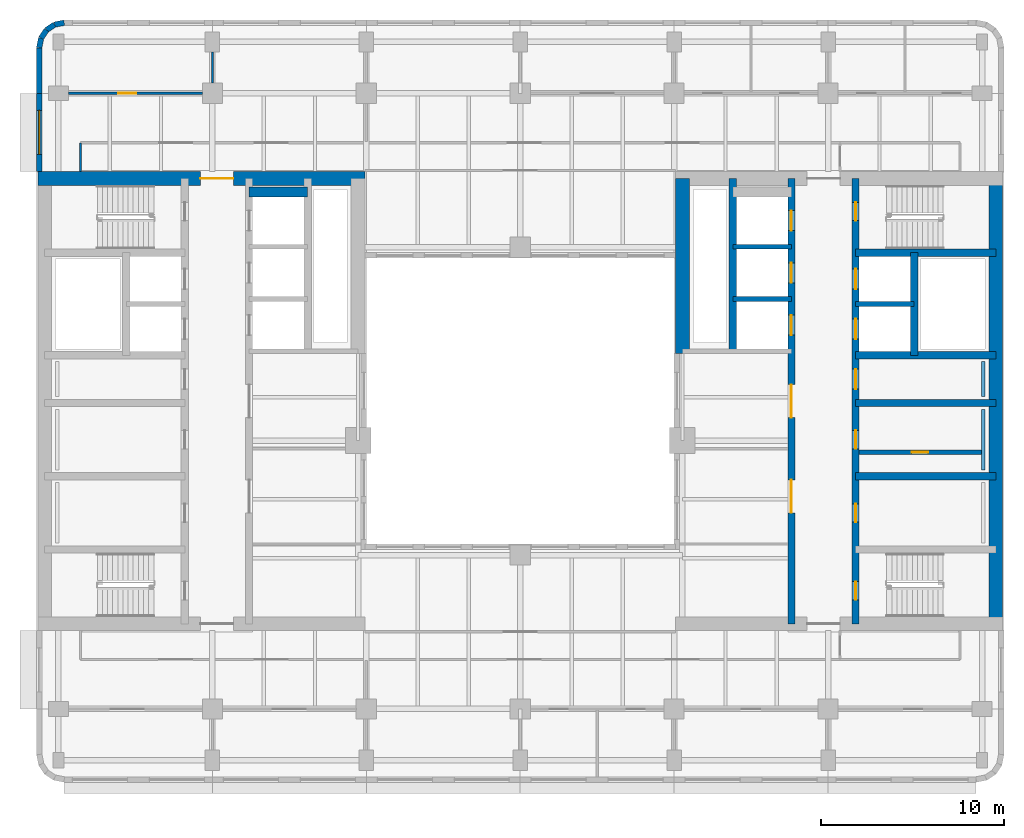
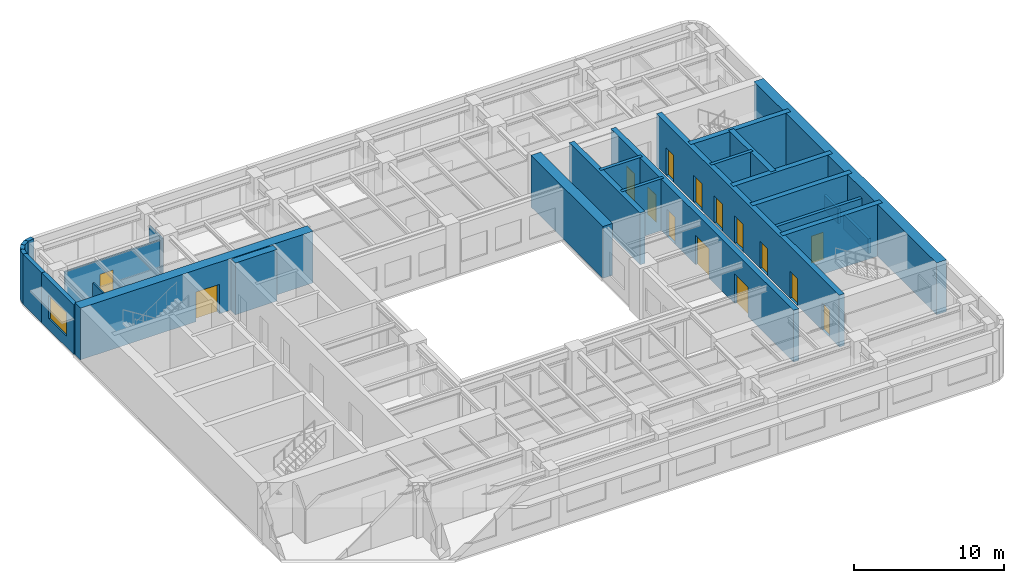
# One storey, part 6 of 11: 27 walls, 15 doors, 1 window, 16 openings.
"""IFC4 building model written with IfcOpenShell, lengths in metres."""

from ifc_helpers import new_model, si_unit, direction, frame, frame_2d, origin, place, context, subcontext, project, spatial, rectangle, extrude, material, layer, layer_set, type_object, element, fill, save


model = new_model("IFC4")

# Units and contexts
model_context = context("Model", 3, precision=1e-05, world=origin(), true_north=direction((0.0, 1.0)))
body_context = subcontext(model_context, "Body", "Model", "MODEL_VIEW")
ifc_project = project(units=[si_unit("LENGTHUNIT", "METRE"), si_unit("AREAUNIT", "SQUARE_METRE"), si_unit("VOLUMEUNIT", "CUBIC_METRE"), si_unit("PLANEANGLEUNIT", "RADIAN"), si_unit("MASSUNIT", "GRAM", prefix="KILO")], contexts=[model_context])

# Site, building, storey
site_placement = place(None, origin())
site = spatial("IfcSite", under=ifc_project, at=site_placement, CompositionType="ELEMENT")
building_placement = place(site_placement, origin())
building = spatial("IfcBuilding", under=site, at=building_placement, Name="Claustro Exchange Tower", CompositionType="ELEMENT")
storey_placement = place(building_placement, frame((0.0, 0.0, 236.39990234375)))
storey = spatial("IfcBuildingStorey", under=building, at=storey_placement, Name="L54", CompositionType="ELEMENT", Elevation=236.39990234375)

# Wall, opening, door
ifc_material_1 = material(Name="Laminated glass in aluminium frame", Category="aluminium")
ifc_layer_1 = layer(ifc_material_1, 0.1201171875)
ifc_layer_set_1 = layer_set([ifc_layer_1], Name="Laminated glass in aluminium frame")
wall_type_1 = type_object("IfcWallType", Name="P2 120 glazed partition", PredefinedType="PARTITIONING", material=ifc_layer_set_1)
wall_1_placement = place(storey_placement, frame((0.549072265625, 42.0, 0.0), z_axis=(0.0, 0.0, 1.0), x_axis=(1.0, 0.0, 0.0)))
wall_1 = element("IfcWall", 1, at=wall_1_placement, inside=storey, type_object=wall_type_1, Name="Partition P2 L54", PredefinedType="PARTITIONING", context=body_context, shape_type="SweptSolid", body=[
    extrude(rectangle(XDim=7.302001953125, YDim=0.1201171875, at=frame_2d((3.65087890625, 0.0))), origin(), (0.0, 0.0, 1.0), 3.550048828125),
])
opening_1_placement = place(wall_1_placement, frame((2.700927734375, 0.0, 0.0)))
opening_1 = element("IfcOpeningElement", 2, at=opening_1_placement, cuts=wall_1, Name="Opening D7", PredefinedType="OPENING", context=body_context, shape_type="SweptSolid", body=[
    extrude(rectangle(XDim=1.0, YDim=2.39990234375, at=frame_2d((0.5, 1.199951171875))), frame((0.0, 0.070068359375, 0.0), z_axis=(0.0, -1.0, 0.0), x_axis=(1.0, 0.0, 0.0)), (0.0, 0.0, 1.0), 0.14013671875),
])
ifc_material_2 = material(Name="Glass door in aluminium frame", Category="aluminium")
door_type_1 = type_object("IfcDoorType", Name="D7 1000 x 2400 glazed door", OperationType="SINGLE_SWING_LEFT", PredefinedType="DOOR", material=ifc_material_2)
door_1_placement = place(opening_1_placement, origin())
door_1 = element("IfcDoor", 3, at=door_1_placement, inside=storey, type_object=door_type_1, Name="Door D7 L54", OperationType="SINGLE_SWING_RIGHT", OverallHeight=2.39990234375, OverallWidth=1.0, PredefinedType="DOOR", context=body_context, shape_type="SweptSolid", body=[
    extrude(rectangle(XDim=1.0, YDim=2.39990234375, at=frame_2d((0.5, 1.199951171875))), frame((0.0, 0.02490234375, 0.0), z_axis=(0.0, -1.0, 0.0), x_axis=(1.0, 0.0, 0.0)), (0.0, 0.0, 1.0), 0.050048828125),
])
fill(opening_1, door_1)

# Walls
wall_2_placement = place(storey_placement, frame((8.39990234375, 42.549072265625, 0.0), z_axis=(0.0, 0.0, 1.0), x_axis=(0.0, 1.0, 0.0)))
element("IfcWall", 4, at=wall_2_placement, inside=storey, type_object=wall_type_1, Name="Partition P2 L54", PredefinedType="PARTITIONING", context=body_context, shape_type="SweptSolid", body=[
    extrude(rectangle(XDim=1.701904296875, YDim=0.1201171875, at=frame_2d((0.85107421875, 0.0))), origin(), (0.0, 0.0, 1.0), 3.150146484375),
])
wall_3_placement = place(storey_placement, frame((1.199951171875, 37.72412109375, 0.0), z_axis=(0.0, 0.0, 1.0), x_axis=(0.0, 1.0, 0.0)))
element("IfcWall", 5, at=wall_3_placement, inside=storey, type_object=wall_type_1, Name="Partition P2 L54", PredefinedType="PARTITIONING", context=body_context, shape_type="SweptSolid", body=[
    extrude(rectangle(XDim=1.575927734375, YDim=0.1201171875, at=frame_2d((0.7880859375, 0.0))), origin(), (0.0, 0.0, 1.0), 4.050048828125),
])

# Wall, opening, door
ifc_material_3 = material(Name="Concrete blockwork, rendered", Category="masonry")
ifc_layer_2 = layer(ifc_material_3, 0.25)
ifc_layer_set_2 = layer_set([ifc_layer_2], Name="Concrete blockwork, rendered")
wall_type_2 = type_object("IfcWallType", Name="P4 250 blockwork wall", PredefinedType="PARTITIONING", material=ifc_layer_set_2)
wall_4_placement = place(storey_placement, frame((43.699951171875, 22.39990234375, 0.0), z_axis=(0.0, 0.0, 1.0), x_axis=(1.0, 0.0, 0.0)))
wall_4 = element("IfcWall", 6, at=wall_4_placement, inside=storey, type_object=wall_type_2, Name="Partition P4 L54", PredefinedType="PARTITIONING", context=body_context, shape_type="SweptSolid", body=[
    extrude(rectangle(XDim=6.675048828125, YDim=0.25, at=frame_2d((3.33740234375, 0.0))), origin(), (0.0, 0.0, 1.0), 4.0),
])
opening_2_placement = place(wall_4_placement, frame((2.862548828125, 0.0, 0.0)))
opening_2 = element("IfcOpeningElement", 7, at=opening_2_placement, cuts=wall_4, Name="Opening D5", PredefinedType="OPENING", context=body_context, shape_type="SweptSolid", body=[
    extrude(rectangle(XDim=0.89990234375, YDim=2.199951171875, at=frame_2d((0.449951171875, 1.10009765625))), frame((0.0, 0.135009765625, 0.0), z_axis=(0.0, -1.0, 0.0), x_axis=(1.0, 0.0, 0.0)), (0.0, 0.0, 1.0), 0.27001953125),
])
ifc_material_4 = material(Name="Steel door, painted", Category="steel")
door_type_2 = type_object("IfcDoorType", Name="D5 900 x 2200 store door", OperationType="SINGLE_SWING_LEFT", PredefinedType="DOOR", material=ifc_material_4)
door_2_placement = place(opening_2_placement, frame((0.89990234375, 0.0, 0.0), z_axis=(0.0, 0.0, 1.0), x_axis=(-1.0, 0.0, 0.0)))
door_2 = element("IfcDoor", 8, at=door_2_placement, inside=storey, type_object=door_type_2, Name="Store door D5 L54", OperationType="SINGLE_SWING_RIGHT", OverallHeight=2.199951171875, OverallWidth=0.89990234375, PredefinedType="DOOR", context=body_context, shape_type="SweptSolid", body=[
    extrude(rectangle(XDim=0.89990234375, YDim=2.199951171875, at=frame_2d((0.449951171875, 1.10009765625))), frame((0.0, 0.02490234375, 0.0), z_axis=(0.0, -1.0, 0.0), x_axis=(1.0, 0.0, 0.0)), (0.0, 0.0, 1.0), 0.050048828125),
])
fill(opening_2, door_2)

# Wall, opening, window
ifc_material_5 = material(Name="Concrete HA-40 (C40/50), precast, white cement, acid-etched", Category="concrete")
ifc_layer_3 = layer(ifc_material_5, 0.300048828125)
ifc_layer_set_3 = layer_set([ifc_layer_3], Name="Concrete HA-40 (C40/50), precast, white cement, acid-etched")
wall_type_3 = type_object("IfcWallType", Name="PC1 300 precast concrete pier panel", PredefinedType="SOLIDWALL", material=ifc_layer_set_3)
wall_5_placement = place(storey_placement, frame((-1.050048828125, 37.72509765625, 0.0), z_axis=(0.0, 0.0, 1.0), x_axis=(0.0, 1.0, 0.0)))
wall_5 = element("IfcWall", 9, at=wall_5_placement, inside=storey, type_object=wall_type_3, Name="Precast pier panel PC1 L54", PredefinedType="SOLIDWALL", context=body_context, shape_type="SweptSolid", body=[
    extrude(rectangle(XDim=4.27490234375, YDim=0.300048828125, at=frame_2d((2.137451171875, 0.0))), origin(), (0.0, 0.0, 1.0), 4.050048828125),
])
opening_3_placement = place(wall_5_placement, frame((0.9375, 0.0, 0.89990234375)))
opening_3 = element("IfcOpeningElement", 10, at=opening_3_placement, cuts=wall_5, Name="Opening W2", PredefinedType="OPENING", context=body_context, shape_type="SweptSolid", body=[
    extrude(rectangle(XDim=2.39990234375, YDim=1.89990234375, at=frame_2d((1.199951171875, 0.949951171875))), frame((0.0, 0.159912109375, 0.0), z_axis=(0.0, -1.0, 0.0), x_axis=(1.0, 0.0, 0.0)), (0.0, 0.0, 1.0), 0.320068359375),
])
ifc_material_6 = material(Name="Aluminium frame, clear double glazing", Category="aluminium")
window_type = type_object("IfcWindowType", Name="W2 2400 x 1900 window", PartitioningType="SINGLE_PANEL", PredefinedType="WINDOW", material=ifc_material_6)
window_placement = place(opening_3_placement, origin())
window = element("IfcWindow", 11, at=window_placement, inside=storey, type_object=window_type, Name="Window W2 L54", OverallHeight=1.89990234375, OverallWidth=2.39990234375, PartitioningType="SINGLE_PANEL", PredefinedType="WINDOW", context=body_context, shape_type="SweptSolid", body=[
    extrude(rectangle(XDim=2.39990234375, YDim=1.89990234375, at=frame_2d((1.199951171875, 0.949951171875))), frame((0.0, 0.030029296875, 0.0), z_axis=(0.0, -1.0, 0.0), x_axis=(1.0, 0.0, 0.0)), (0.0, 0.0, 1.0), 0.06005859375),
])
fill(opening_3, window)

# Walls
wall_6_placement = place(storey_placement, frame((-1.050048828125, 42.0, 0.0), z_axis=(0.0, 0.0, 1.0), x_axis=(0.0, 1.0, 0.0)))
element("IfcWall", 12, at=wall_6_placement, inside=storey, type_object=wall_type_3, Name="Precast pier panel PC1 L54", PredefinedType="SOLIDWALL", context=body_context, shape_type="SweptSolid", body=[
    extrude(rectangle(XDim=2.485107421875, YDim=0.300048828125, at=frame_2d((1.24267578125, 0.0))), origin(), (0.0, 0.0, 1.0), 4.050048828125),
])
wall_7_placement = place(storey_placement, frame((-1.050048828125, 44.485107421875, 0.0), z_axis=(0.0, 0.0, 1.0), x_axis=(0.195073962632, 0.980788534345, 0.0)))
element("IfcWall", 13, at=wall_7_placement, inside=storey, type_object=wall_type_3, Name="Precast pier panel PC1 L54", PredefinedType="SOLIDWALL", context=body_context, shape_type="SweptSolid", body=[
    extrude(rectangle(XDim=0.540771484375, YDim=0.300048828125, at=frame_2d((0.2705078125, 0.0))), origin(), (0.0, 0.0, 1.0), 4.050048828125),
])
wall_8_placement = place(storey_placement, frame((-0.944580078125, 45.015380859375, 0.0), z_axis=(0.0, 0.0, 1.0), x_axis=(0.55534295404, 0.831621430339, 0.0)))
element("IfcWall", 14, at=wall_8_placement, inside=storey, type_object=wall_type_3, Name="Precast pier panel PC1 L54", PredefinedType="SOLIDWALL", context=body_context, shape_type="SweptSolid", body=[
    extrude(rectangle(XDim=0.52587890625, YDim=0.300048828125, at=frame_2d((0.262939453125, 0.0))), origin(), (0.0, 0.0, 1.0), 4.050048828125),
])
wall_9_placement = place(storey_placement, frame((-0.652587890625, 45.45263671875, 0.0), z_axis=(0.0, 0.0, 1.0), x_axis=(0.831692711774, 0.555236195849, 0.0)))
element("IfcWall", 15, at=wall_9_placement, inside=storey, type_object=wall_type_3, Name="Precast pier panel PC1 L54", PredefinedType="SOLIDWALL", context=body_context, shape_type="SweptSolid", body=[
    extrude(rectangle(XDim=0.525390625, YDim=0.300048828125, at=frame_2d((0.2626953125, 0.0))), origin(), (0.0, 0.0, 1.0), 4.050048828125),
])
wall_10_placement = place(storey_placement, frame((-0.215576171875, 45.744384765625, 0.0), z_axis=(0.0, 0.0, 1.0), x_axis=(0.980702050465, 0.1955082817, 0.0)))
element("IfcWall", 16, at=wall_10_placement, inside=storey, type_object=wall_type_3, Name="Precast pier panel PC1 L54", PredefinedType="SOLIDWALL", context=body_context, shape_type="SweptSolid", body=[
    extrude(rectangle(XDim=0.540771484375, YDim=0.300048828125, at=frame_2d((0.2705078125, 0.0))), origin(), (0.0, 0.0, 1.0), 4.050048828125),
])
ifc_material_7 = material(Name="Gypsum board on steel studs, tiled", Category="steel")
ifc_layer_4 = layer(ifc_material_7, 0.199951171875)
ifc_layer_set_4 = layer_set([ifc_layer_4], Name="Gypsum board on steel studs, tiled")
wall_type_4 = type_object("IfcWallType", Name="PW1 200 WC duct wall", PredefinedType="PLUMBINGWALL", material=ifc_layer_set_4)
wall_11_placement = place(storey_placement, frame((50.47509765625, 21.449951171875, 0.0), z_axis=(0.0, 0.0, 1.0), x_axis=(0.0, 1.0, 0.0)))
element("IfcWall", 17, at=wall_11_placement, inside=storey, type_object=wall_type_4, Name="WC duct wall PW1 L54", PredefinedType="PLUMBINGWALL", context=body_context, shape_type="SweptSolid", body=[
    extrude(rectangle(XDim=3.300048828125, YDim=0.199951171875, at=frame_2d((1.64990234375, 0.0))), origin(), (0.0, 0.0, 1.0), 1.2001953125),
])
wall_12_placement = place(storey_placement, frame((50.47509765625, 25.449951171875, 0.0), z_axis=(0.0, 0.0, 1.0), x_axis=(0.0, 1.0, 0.0)))
element("IfcWall", 18, at=wall_12_placement, inside=storey, type_object=wall_type_4, Name="WC duct wall PW1 L54", PredefinedType="PLUMBINGWALL", context=body_context, shape_type="SweptSolid", body=[
    extrude(rectangle(XDim=1.900146484375, YDim=0.199951171875, at=frame_2d((0.9501953125, 0.0))), origin(), (0.0, 0.0, 1.0), 1.2001953125),
])

# Wall, opening, door
ifc_material_8 = material(Name="Concrete HA-70 (C70/85)", Category="concrete")
ifc_layer_5 = layer(ifc_material_8, 0.75)
ifc_layer_set_5 = layer_set([ifc_layer_5], Name="Concrete HA-70 (C70/85)")
wall_type_5 = type_object("IfcWallType", Name="SW2 750 core shear wall", PredefinedType="SHEAR", material=ifc_layer_set_5)
wall_13_placement = place(storey_placement, frame((-1.125, 37.35009765625, 0.0), z_axis=(0.0, 0.0, 1.0), x_axis=(1.0, 0.0, 0.0)))
wall_13 = element("IfcWall", 19, at=wall_13_placement, inside=storey, type_object=wall_type_5, Name="Core wall SW2 W core N face L54", PredefinedType="SHEAR", context=body_context, shape_type="SweptSolid", body=[
    extrude(rectangle(XDim=17.85009765625, YDim=0.75, at=frame_2d((8.925048828125, 0.0))), origin(), (0.0, 0.0, 1.0), 4.2001953125),
])
opening_4_placement = place(wall_13_placement, frame((8.875, 0.0, 0.0)))
opening_4 = element("IfcOpeningElement", 20, at=opening_4_placement, cuts=wall_13, Name="Opening D3", PredefinedType="OPENING", context=body_context, shape_type="SweptSolid", body=[
    extrude(rectangle(XDim=1.800048828125, YDim=2.39990234375, at=frame_2d((0.89990234375, 1.199951171875))), frame((0.0, 0.385009765625, 0.0), z_axis=(0.0, -1.0, 0.0), x_axis=(1.0, 0.0, 0.0)), (0.0, 0.0, 1.0), 0.77001953125),
])
ifc_material_9 = material(Name="Steel fire door, painted", Category="steel")
door_type_3 = type_object("IfcDoorType", Name="D3 1800 x 2400 fire-rated lobby double door", OperationType="DOUBLE_DOOR_SINGLE_SWING", PredefinedType="DOOR", material=ifc_material_9)
door_3_placement = place(opening_4_placement, frame((1.800048828125, 0.0, 0.0), z_axis=(0.0, 0.0, 1.0), x_axis=(-1.0, 0.0, 0.0)))
door_3 = element("IfcDoor", 21, at=door_3_placement, inside=storey, type_object=door_type_3, Name="Lift lobby door D3 L54", OperationType="DOUBLE_DOOR_SINGLE_SWING", OverallHeight=2.39990234375, OverallWidth=1.800048828125, PredefinedType="DOOR", context=body_context, shape_type="SweptSolid", body=[
    extrude(rectangle(XDim=1.800048828125, YDim=2.39990234375, at=frame_2d((0.89990234375, 1.199951171875))), frame((0.0, 0.02490234375, 0.0), z_axis=(0.0, -1.0, 0.0), x_axis=(1.0, 0.0, 0.0)), (0.0, 0.0, 1.0), 0.050048828125),
])
fill(opening_4, door_3)

# Walls
ifc_material_10 = material(Name="Concrete HA-70 (C70/85)", Category="concrete")
ifc_layer_6 = layer(ifc_material_10, 0.75)
ifc_layer_set_6 = layer_set([ifc_layer_6], Name="Concrete HA-70 (C70/85)")
wall_type_6 = type_object("IfcWallType", Name="SW2X 750 exposed core shear wall, board-marked face", PredefinedType="SHEAR", material=ifc_layer_set_6)
wall_14_placement = place(storey_placement, frame((34.050048828125, 27.800048828125, 0.0), z_axis=(0.0, 0.0, 1.0), x_axis=(0.0, 1.0, 0.0)))
element("IfcWall", 22, at=wall_14_placement, inside=storey, type_object=wall_type_6, Name="Core wall SW2X E core W face L54", PredefinedType="SHEAR", context=body_context, shape_type="SweptSolid", body=[
    extrude(rectangle(XDim=9.550048828125, YDim=0.75, at=frame_2d((4.77490234375, 0.0))), origin(), (0.0, 0.0, 1.0), 4.2001953125),
])
wall_15_placement = place(storey_placement, frame((51.14990234375, 13.050048828125, 0.0), z_axis=(0.0, 0.0, 1.0), x_axis=(0.0, 1.0, 0.0)))
element("IfcWall", 23, at=wall_15_placement, inside=storey, type_object=wall_type_6, Name="Core wall SW2X E core E face L54", PredefinedType="SHEAR", context=body_context, shape_type="SweptSolid", body=[
    extrude(rectangle(XDim=24.300048828125, YDim=0.75, at=frame_2d((12.14990234375, 0.0))), origin(), (0.0, 0.0, 1.0), 4.2001953125),
])

# Wall, openings, doors
ifc_material_11 = material(Name="Concrete HA-50 (C50/60)", Category="concrete")
ifc_layer_7 = layer(ifc_material_11, 0.39990234375)
ifc_layer_set_7 = layer_set([ifc_layer_7], Name="Concrete HA-50 (C50/60)")
wall_type_7 = type_object("IfcWallType", Name="SW4 400 internal core wall", PredefinedType="SHEAR", material=ifc_layer_set_7)
wall_16_placement = place(storey_placement, frame((43.5, 13.050048828125, 0.0), z_axis=(0.0, 0.0, 1.0), x_axis=(0.0, 1.0, 0.0)))
wall_16 = element("IfcWall", 24, at=wall_16_placement, inside=storey, type_object=wall_type_7, Name="Internal core wall SW4 E core L54", PredefinedType="SHEAR", context=body_context, shape_type="SweptSolid", body=[
    extrude(rectangle(XDim=24.300048828125, YDim=0.39990234375, at=frame_2d((12.14990234375, 0.0))), origin(), (0.0, 0.0, 1.0), 4.2001953125),
])
opening_5_placement = place(wall_16_placement, frame((1.300048828125, 0.0, 0.0)))
opening_5 = element("IfcOpeningElement", 25, at=opening_5_placement, cuts=wall_16, Name="Opening D4", PredefinedType="OPENING", context=body_context, shape_type="SweptSolid", body=[
    extrude(rectangle(XDim=1.0, YDim=2.199951171875, at=frame_2d((0.5, 1.10009765625))), frame((0.0, 0.2099609375, 0.0), z_axis=(0.0, -1.0, 0.0), x_axis=(1.0, 0.0, 0.0)), (0.0, 0.0, 1.0), 0.419921875),
])
opening_6_placement = place(wall_16_placement, frame((22.0, 0.0, 0.0)))
opening_6 = element("IfcOpeningElement", 26, at=opening_6_placement, cuts=wall_16, Name="Opening D4", PredefinedType="OPENING", context=body_context, shape_type="SweptSolid", body=[
    extrude(rectangle(XDim=1.0, YDim=2.199951171875, at=frame_2d((0.5, 1.10009765625))), frame((0.0, 0.2099609375, 0.0), z_axis=(0.0, -1.0, 0.0), x_axis=(1.0, 0.0, 0.0)), (0.0, 0.0, 1.0), 0.419921875),
])
opening_7_placement = place(wall_16_placement, frame((5.550048828125, 0.0, 0.0)))
opening_7 = element("IfcOpeningElement", 27, at=opening_7_placement, cuts=wall_16, Name="Opening D1", PredefinedType="OPENING", context=body_context, shape_type="SweptSolid", body=[
    extrude(rectangle(XDim=1.0, YDim=2.199951171875, at=frame_2d((0.5, 1.10009765625))), frame((0.0, 0.2099609375, 0.0), z_axis=(0.0, -1.0, 0.0), x_axis=(1.0, 0.0, 0.0)), (0.0, 0.0, 1.0), 0.419921875),
])
opening_8_placement = place(wall_16_placement, frame((9.550048828125, 0.0, 0.0)))
opening_8 = element("IfcOpeningElement", 28, at=opening_8_placement, cuts=wall_16, Name="Opening D1", PredefinedType="OPENING", context=body_context, shape_type="SweptSolid", body=[
    extrude(rectangle(XDim=1.0, YDim=2.199951171875, at=frame_2d((0.5, 1.10009765625))), frame((0.0, 0.2099609375, 0.0), z_axis=(0.0, -1.0, 0.0), x_axis=(1.0, 0.0, 0.0)), (0.0, 0.0, 1.0), 0.419921875),
])
opening_9_placement = place(wall_16_placement, frame((12.800048828125, 0.0, 0.0)))
opening_9 = element("IfcOpeningElement", 29, at=opening_9_placement, cuts=wall_16, Name="Opening D10", PredefinedType="OPENING", context=body_context, shape_type="SweptSolid", body=[
    extrude(rectangle(XDim=1.10009765625, YDim=2.199951171875, at=frame_2d((0.550048828125, 1.10009765625))), frame((0.0, 0.2099609375, 0.0), z_axis=(0.0, -1.0, 0.0), x_axis=(1.0, 0.0, 0.0)), (0.0, 0.0, 1.0), 0.419921875),
])
opening_10_placement = place(wall_16_placement, frame((15.53759765625, 0.0, 0.0)))
opening_10 = element("IfcOpeningElement", 30, at=opening_10_placement, cuts=wall_16, Name="Opening LD", PredefinedType="OPENING", context=body_context, shape_type="SweptSolid", body=[
    extrude(rectangle(XDim=1.10009765625, YDim=2.199951171875, at=frame_2d((0.550048828125, 1.10009765625))), frame((0.0, 0.2099609375, 0.0), z_axis=(0.0, -1.0, 0.0), x_axis=(1.0, 0.0, 0.0)), (0.0, 0.0, 1.0), 0.419921875),
])
opening_11_placement = place(wall_16_placement, frame((18.262451171875, 0.0, 0.0)))
opening_11 = element("IfcOpeningElement", 31, at=opening_11_placement, cuts=wall_16, Name="Opening LD", PredefinedType="OPENING", context=body_context, shape_type="SweptSolid", body=[
    extrude(rectangle(XDim=1.10009765625, YDim=2.199951171875, at=frame_2d((0.550048828125, 1.10009765625))), frame((0.0, 0.2099609375, 0.0), z_axis=(0.0, -1.0, 0.0), x_axis=(1.0, 0.0, 0.0)), (0.0, 0.0, 1.0), 0.419921875),
])
ifc_material_12 = material(Name="Timber door, oak veneer", Category="wood")
door_type_4 = type_object("IfcDoorType", Name="D1 1000 x 2200 single door", OperationType="SINGLE_SWING_LEFT", PredefinedType="DOOR", material=ifc_material_12)
door_4_placement = place(opening_7_placement, frame((1.0, 0.0, 0.0), z_axis=(0.0, 0.0, 1.0), x_axis=(-1.0, 0.0, 0.0)))
door_4 = element("IfcDoor", 32, at=door_4_placement, inside=storey, type_object=door_type_4, Name="Door D1 L54", OperationType="SINGLE_SWING_LEFT", OverallHeight=2.199951171875, OverallWidth=1.0, PredefinedType="DOOR", context=body_context, shape_type="SweptSolid", body=[
    extrude(rectangle(XDim=1.0, YDim=2.199951171875, at=frame_2d((0.5, 1.10009765625))), frame((0.0, 0.02490234375, 0.0), z_axis=(0.0, -1.0, 0.0), x_axis=(1.0, 0.0, 0.0)), (0.0, 0.0, 1.0), 0.050048828125),
])
fill(opening_7, door_4)
door_5_placement = place(opening_8_placement, frame((1.0, 0.0, 0.0), z_axis=(0.0, 0.0, 1.0), x_axis=(-1.0, 0.0, 0.0)))
door_5 = element("IfcDoor", 33, at=door_5_placement, inside=storey, type_object=door_type_4, Name="Door D1 L54", OperationType="SINGLE_SWING_RIGHT", OverallHeight=2.199951171875, OverallWidth=1.0, PredefinedType="DOOR", context=body_context, shape_type="SweptSolid", body=[
    extrude(rectangle(XDim=1.0, YDim=2.199951171875, at=frame_2d((0.5, 1.10009765625))), frame((0.0, 0.02490234375, 0.0), z_axis=(0.0, -1.0, 0.0), x_axis=(1.0, 0.0, 0.0)), (0.0, 0.0, 1.0), 0.050048828125),
])
fill(opening_8, door_5)
ifc_material_13 = material(Name="Timber door, oak veneer", Category="wood")
door_type_5 = type_object("IfcDoorType", Name="D10 1100 x 2200 accessible WC door", OperationType="SINGLE_SWING_LEFT", PredefinedType="DOOR", material=ifc_material_13)
door_6_placement = place(opening_9_placement, origin())
door_6 = element("IfcDoor", 34, at=door_6_placement, inside=storey, type_object=door_type_5, Name="Accessible WC door D10 L54", OperationType="SINGLE_SWING_RIGHT", OverallHeight=2.199951171875, OverallWidth=1.10009765625, PredefinedType="DOOR", context=body_context, shape_type="SweptSolid", body=[
    extrude(rectangle(XDim=1.10009765625, YDim=2.199951171875, at=frame_2d((0.550048828125, 1.10009765625))), frame((0.0, 0.02490234375, 0.0), z_axis=(0.0, -1.0, 0.0), x_axis=(1.0, 0.0, 0.0)), (0.0, 0.0, 1.0), 0.050048828125),
])
fill(opening_9, door_6)
ifc_material_14 = material(Name="Steel fire door, painted", Category="steel")
door_type_6 = type_object("IfcDoorType", Name="D4 1000 x 2200 fire-rated stair door", OperationType="SINGLE_SWING_LEFT", PredefinedType="DOOR", material=ifc_material_14)
door_7_placement = place(opening_5_placement, frame((1.0, 0.0, 0.0), z_axis=(0.0, 0.0, 1.0), x_axis=(-1.0, 0.0, 0.0)))
door_7 = element("IfcDoor", 35, at=door_7_placement, inside=storey, type_object=door_type_6, Name="Stair door D4 L54", OperationType="SINGLE_SWING_RIGHT", OverallHeight=2.199951171875, OverallWidth=1.0, PredefinedType="DOOR", context=body_context, shape_type="SweptSolid", body=[
    extrude(rectangle(XDim=1.0, YDim=2.199951171875, at=frame_2d((0.5, 1.10009765625))), frame((0.0, 0.02490234375, 0.0), z_axis=(0.0, -1.0, 0.0), x_axis=(1.0, 0.0, 0.0)), (0.0, 0.0, 1.0), 0.050048828125),
])
fill(opening_5, door_7)
door_8_placement = place(opening_6_placement, frame((1.0, 0.0, 0.0), z_axis=(0.0, 0.0, 1.0), x_axis=(-1.0, 0.0, 0.0)))
door_8 = element("IfcDoor", 36, at=door_8_placement, inside=storey, type_object=door_type_6, Name="Stair door D4 L54", OperationType="SINGLE_SWING_LEFT", OverallHeight=2.199951171875, OverallWidth=1.0, PredefinedType="DOOR", context=body_context, shape_type="SweptSolid", body=[
    extrude(rectangle(XDim=1.0, YDim=2.199951171875, at=frame_2d((0.5, 1.10009765625))), frame((0.0, 0.02490234375, 0.0), z_axis=(0.0, -1.0, 0.0), x_axis=(1.0, 0.0, 0.0)), (0.0, 0.0, 1.0), 0.050048828125),
])
fill(opening_6, door_8)
ifc_material_15 = material(Name="Stainless steel sliding door", Category="steel")
door_type_7 = type_object("IfcDoorType", Name="LD 1100 x 2200 lift landing door", OperationType="DOUBLE_DOOR_SLIDING", PredefinedType="DOOR", material=ifc_material_15)
door_9_placement = place(opening_10_placement, origin())
door_9 = element("IfcDoor", 37, at=door_9_placement, inside=storey, type_object=door_type_7, Name="Lift landing door LEE1 LD L54", OperationType="DOUBLE_DOOR_SLIDING", OverallHeight=2.199951171875, OverallWidth=1.10009765625, PredefinedType="DOOR", context=body_context, shape_type="SweptSolid", body=[
    extrude(rectangle(XDim=1.10009765625, YDim=2.199951171875, at=frame_2d((0.550048828125, 1.10009765625))), frame((0.0, 0.02490234375, 0.0), z_axis=(0.0, -1.0, 0.0), x_axis=(1.0, 0.0, 0.0)), (0.0, 0.0, 1.0), 0.050048828125),
])
fill(opening_10, door_9)
door_10_placement = place(opening_11_placement, origin())
door_10 = element("IfcDoor", 38, at=door_10_placement, inside=storey, type_object=door_type_7, Name="Lift landing door LEE2 LD L54", OperationType="DOUBLE_DOOR_SLIDING", OverallHeight=2.199951171875, OverallWidth=1.10009765625, PredefinedType="DOOR", context=body_context, shape_type="SweptSolid", body=[
    extrude(rectangle(XDim=1.10009765625, YDim=2.199951171875, at=frame_2d((0.550048828125, 1.10009765625))), frame((0.0, 0.02490234375, 0.0), z_axis=(0.0, -1.0, 0.0), x_axis=(1.0, 0.0, 0.0)), (0.0, 0.0, 1.0), 0.050048828125),
])
fill(opening_11, door_10)

wall_17_placement = place(storey_placement, frame((40.0, 13.050048828125, 0.0), z_axis=(0.0, 0.0, 1.0), x_axis=(0.0, 1.0, 0.0)))
wall_17 = element("IfcWall", 39, at=wall_17_placement, inside=storey, type_object=wall_type_7, Name="Internal core wall SW4 E core L54", PredefinedType="SHEAR", context=body_context, shape_type="SweptSolid", body=[
    extrude(rectangle(XDim=24.300048828125, YDim=0.39990234375, at=frame_2d((12.14990234375, 0.0))), origin(), (0.0, 0.0, 1.0), 4.2001953125),
])
opening_12_placement = place(wall_17_placement, frame((15.75, 0.0, 0.0)))
opening_12 = element("IfcOpeningElement", 40, at=opening_12_placement, cuts=wall_17, Name="Opening LD", PredefinedType="OPENING", context=body_context, shape_type="SweptSolid", body=[
    extrude(rectangle(XDim=1.10009765625, YDim=2.199951171875, at=frame_2d((0.550048828125, 1.10009765625))), frame((0.0, 0.2099609375, 0.0), z_axis=(0.0, -1.0, 0.0), x_axis=(1.0, 0.0, 0.0)), (0.0, 0.0, 1.0), 0.419921875),
])
opening_13_placement = place(wall_17_placement, frame((18.60009765625, 0.0, 0.0)))
opening_13 = element("IfcOpeningElement", 41, at=opening_13_placement, cuts=wall_17, Name="Opening LD", PredefinedType="OPENING", context=body_context, shape_type="SweptSolid", body=[
    extrude(rectangle(XDim=1.10009765625, YDim=2.199951171875, at=frame_2d((0.550048828125, 1.10009765625))), frame((0.0, 0.2099609375, 0.0), z_axis=(0.0, -1.0, 0.0), x_axis=(1.0, 0.0, 0.0)), (0.0, 0.0, 1.0), 0.419921875),
])
opening_14_placement = place(wall_17_placement, frame((21.449951171875, 0.0, 0.0)))
opening_14 = element("IfcOpeningElement", 42, at=opening_14_placement, cuts=wall_17, Name="Opening LD", PredefinedType="OPENING", context=body_context, shape_type="SweptSolid", body=[
    extrude(rectangle(XDim=1.10009765625, YDim=2.199951171875, at=frame_2d((0.550048828125, 1.10009765625))), frame((0.0, 0.2099609375, 0.0), z_axis=(0.0, -1.0, 0.0), x_axis=(1.0, 0.0, 0.0)), (0.0, 0.0, 1.0), 0.419921875),
])
opening_15_placement = place(wall_17_placement, frame((6.050048828125, 0.0, 0.0)))
opening_15 = element("IfcOpeningElement", 43, at=opening_15_placement, cuts=wall_17, Name="Opening D3", PredefinedType="OPENING", context=body_context, shape_type="SweptSolid", body=[
    extrude(rectangle(XDim=1.800048828125, YDim=2.39990234375, at=frame_2d((0.89990234375, 1.199951171875))), frame((0.0, 0.2099609375, 0.0), z_axis=(0.0, -1.0, 0.0), x_axis=(1.0, 0.0, 0.0)), (0.0, 0.0, 1.0), 0.419921875),
])
opening_16_placement = place(wall_17_placement, frame((11.25, 0.0, 0.0)))
opening_16 = element("IfcOpeningElement", 44, at=opening_16_placement, cuts=wall_17, Name="Opening D3", PredefinedType="OPENING", context=body_context, shape_type="SweptSolid", body=[
    extrude(rectangle(XDim=1.800048828125, YDim=2.39990234375, at=frame_2d((0.89990234375, 1.199951171875))), frame((0.0, 0.2099609375, 0.0), z_axis=(0.0, -1.0, 0.0), x_axis=(1.0, 0.0, 0.0)), (0.0, 0.0, 1.0), 0.419921875),
])
door_11_placement = place(opening_15_placement, origin())
door_11 = element("IfcDoor", 45, at=door_11_placement, inside=storey, type_object=door_type_3, Name="Core zone door D3 L54", OperationType="DOUBLE_DOOR_SINGLE_SWING", OverallHeight=2.39990234375, OverallWidth=1.800048828125, PredefinedType="DOOR", context=body_context, shape_type="SweptSolid", body=[
    extrude(rectangle(XDim=1.800048828125, YDim=2.39990234375, at=frame_2d((0.89990234375, 1.199951171875))), frame((0.0, 0.02490234375, 0.0), z_axis=(0.0, -1.0, 0.0), x_axis=(1.0, 0.0, 0.0)), (0.0, 0.0, 1.0), 0.050048828125),
])
fill(opening_15, door_11)
door_12_placement = place(opening_16_placement, origin())
door_12 = element("IfcDoor", 46, at=door_12_placement, inside=storey, type_object=door_type_3, Name="Core zone door D3 L54", OperationType="DOUBLE_DOOR_SINGLE_SWING", OverallHeight=2.39990234375, OverallWidth=1.800048828125, PredefinedType="DOOR", context=body_context, shape_type="SweptSolid", body=[
    extrude(rectangle(XDim=1.800048828125, YDim=2.39990234375, at=frame_2d((0.89990234375, 1.199951171875))), frame((0.0, 0.02490234375, 0.0), z_axis=(0.0, -1.0, 0.0), x_axis=(1.0, 0.0, 0.0)), (0.0, 0.0, 1.0), 0.050048828125),
])
fill(opening_16, door_12)
door_13_placement = place(opening_12_placement, origin())
door_13 = element("IfcDoor", 47, at=door_13_placement, inside=storey, type_object=door_type_7, Name="Lift landing door LHE1 LD L54", OperationType="DOUBLE_DOOR_SLIDING", OverallHeight=2.199951171875, OverallWidth=1.10009765625, PredefinedType="DOOR", context=body_context, shape_type="SweptSolid", body=[
    extrude(rectangle(XDim=1.10009765625, YDim=2.199951171875, at=frame_2d((0.550048828125, 1.10009765625))), frame((0.0, 0.02490234375, 0.0), z_axis=(0.0, -1.0, 0.0), x_axis=(1.0, 0.0, 0.0)), (0.0, 0.0, 1.0), 0.050048828125),
])
fill(opening_12, door_13)
door_14_placement = place(opening_13_placement, origin())
door_14 = element("IfcDoor", 48, at=door_14_placement, inside=storey, type_object=door_type_7, Name="Lift landing door LHE2 LD L54", OperationType="DOUBLE_DOOR_SLIDING", OverallHeight=2.199951171875, OverallWidth=1.10009765625, PredefinedType="DOOR", context=body_context, shape_type="SweptSolid", body=[
    extrude(rectangle(XDim=1.10009765625, YDim=2.199951171875, at=frame_2d((0.550048828125, 1.10009765625))), frame((0.0, 0.02490234375, 0.0), z_axis=(0.0, -1.0, 0.0), x_axis=(1.0, 0.0, 0.0)), (0.0, 0.0, 1.0), 0.050048828125),
])
fill(opening_13, door_14)
door_15_placement = place(opening_14_placement, origin())
door_15 = element("IfcDoor", 49, at=door_15_placement, inside=storey, type_object=door_type_7, Name="Lift landing door LSE1 LD L54", OperationType="DOUBLE_DOOR_SLIDING", OverallHeight=2.199951171875, OverallWidth=1.10009765625, PredefinedType="DOOR", context=body_context, shape_type="SweptSolid", body=[
    extrude(rectangle(XDim=1.10009765625, YDim=2.199951171875, at=frame_2d((0.550048828125, 1.10009765625))), frame((0.0, 0.02490234375, 0.0), z_axis=(0.0, -1.0, 0.0), x_axis=(1.0, 0.0, 0.0)), (0.0, 0.0, 1.0), 0.050048828125),
])
fill(opening_14, door_15)

# Walls
wall_18_placement = place(storey_placement, frame((36.800048828125, 27.925048828125, 0.0), z_axis=(0.0, 0.0, 1.0), x_axis=(0.0, 1.0, 0.0)))
element("IfcWall", 50, at=wall_18_placement, inside=storey, type_object=wall_type_7, Name="Internal core wall SW4 E core L54", PredefinedType="SHEAR", context=body_context, shape_type="SweptSolid", body=[
    extrude(rectangle(XDim=9.425048828125, YDim=0.39990234375, at=frame_2d((4.71240234375, 0.0))), origin(), (0.0, 0.0, 1.0), 4.2001953125),
])
for number, where, z_axis, x_axis, name in (
    (51, (51.14990234375, 21.10009765625, 0.0), (0.0, 0.0, 1.0), (-1.0, 0.0, 0.0), "Internal core wall SW4 E core L54"),
    (52, (51.14990234375, 25.10009765625, 0.0), (0.0, 0.0, 1.0), (-1.0, 0.0, 0.0), "Internal core wall SW4 E core L54"),
    (53, (51.14990234375, 27.699951171875, 0.0), (0.0, 0.0, 1.0), (-1.0, 0.0, 0.0), "Internal core wall SW4 E core L54"),
    (54, (51.14990234375, 33.300048828125, 0.0), (0.0, 0.0, 1.0), (-1.0, 0.0, 0.0), "Internal core wall SW4 E core L54"),
):
    element("IfcWall", number, at=place(storey_placement, frame(where, z_axis=z_axis, x_axis=x_axis)), inside=storey, type_object=wall_type_7, Name=name, PredefinedType="SHEAR", context=body_context, shape_type="SweptSolid", body=[
        extrude(rectangle(XDim=7.64990234375, YDim=0.39990234375, at=frame_2d((3.824951171875, 0.0))), origin(), (0.0, 0.0, 1.0), 4.2001953125),
    ])
wall_19_placement = place(storey_placement, frame((46.699951171875, 27.699951171875, 0.0), z_axis=(0.0, 0.0, 1.0), x_axis=(0.0, 1.0, 0.0)))
element("IfcWall", 55, at=wall_19_placement, inside=storey, type_object=wall_type_7, Name="Internal core wall SW4 E core L54", PredefinedType="SHEAR", context=body_context, shape_type="SweptSolid", body=[
    extrude(rectangle(XDim=5.60009765625, YDim=0.39990234375, at=frame_2d((2.800048828125, 0.0))), origin(), (0.0, 0.0, 1.0), 4.2001953125),
])
ifc_material_16 = material(Name="Concrete HA-50 (C50/60)", Category="concrete")
ifc_layer_8 = layer(ifc_material_16, 0.25)
ifc_layer_set_8 = layer_set([ifc_layer_8], Name="Concrete HA-50 (C50/60)")
wall_type_8 = type_object("IfcWallType", Name="SW5 250 lift shaft divider wall", PredefinedType="SHEAR", material=ifc_layer_set_8)
for number, where, z_axis, x_axis, name in (
    (56, (46.699951171875, 30.5, 0.0), (0.0, 0.0, 1.0), (-1.0, 0.0, 0.0), "Lift shaft wall E core L54"),
    (57, (40.0, 30.77490234375, 0.0), (0.0, 0.0, 1.0), (-1.0, 0.0, 0.0), "Lift shaft wall E core L54"),
    (58, (40.0, 33.625, 0.0), (0.0, 0.0, 1.0), (-1.0, 0.0, 0.0), "Lift shaft wall E core L54"),
):
    element("IfcWall", number, at=place(storey_placement, frame(where, z_axis=z_axis, x_axis=x_axis)), inside=storey, type_object=wall_type_8, Name=name, PredefinedType="SHEAR", context=body_context, shape_type="SweptSolid", body=[
        extrude(rectangle(XDim=3.199951171875, YDim=0.25, at=frame_2d((1.60009765625, 0.0))), origin(), (0.0, 0.0, 1.0), 4.2001953125),
    ])
ifc_material_17 = material(Name="Concrete HA-50 (C50/60)", Category="concrete")
ifc_layer_9 = layer(ifc_material_17, 0.550048828125)
ifc_layer_set_9 = layer_set([ifc_layer_9], Name="Concrete HA-50 (C50/60)")
wall_type_9 = type_object("IfcWallType", Name="SW6 550 lift shaft end wall", PredefinedType="SHEAR", material=ifc_layer_set_9)
wall_20_placement = place(storey_placement, frame((10.39990234375, 36.625, 0.0), z_axis=(0.0, 0.0, 1.0), x_axis=(1.0, 0.0, 0.0)))
element("IfcWall", 59, at=wall_20_placement, inside=storey, type_object=wall_type_9, Name="Lift shaft wall W core L54", PredefinedType="SHEAR", context=body_context, shape_type="SweptSolid", body=[
    extrude(rectangle(XDim=3.2001953125, YDim=0.550048828125, at=frame_2d((1.60009765625, 0.0))), origin(), (0.0, 0.0, 1.0), 4.2001953125),
])

save(model, "model.ifc")
